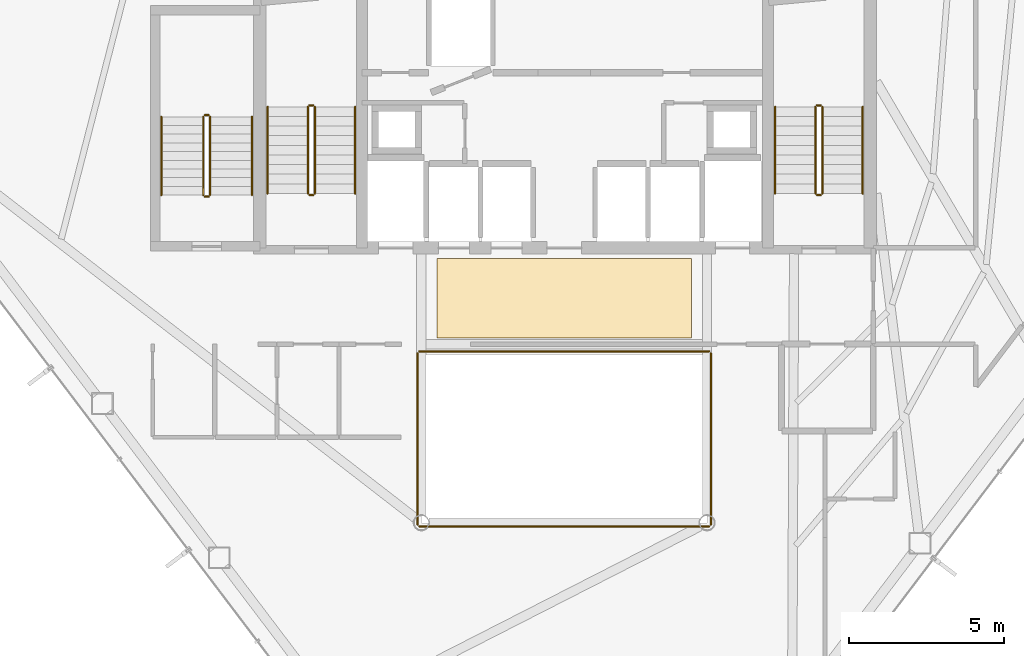
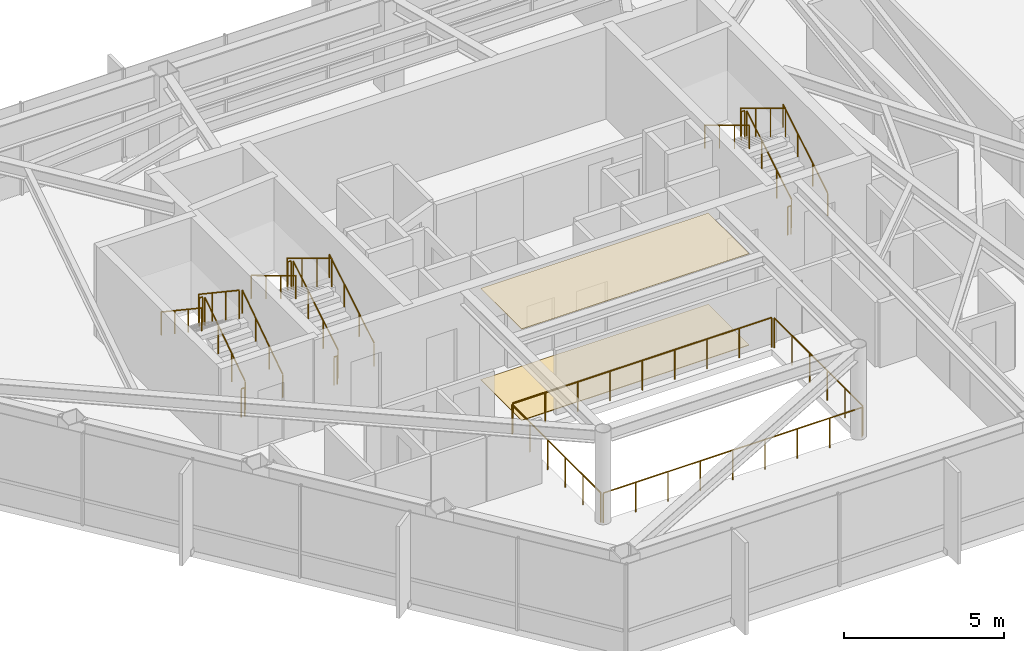
# One storey, part 28 of 28: 22 railings, 2 coverings.
"""IFC4 building model written with IfcOpenShell, lengths in metres."""

from ifc_helpers import new_model, si_unit, direction, frame, origin, origin_2d, place, context, subcontext, project, spatial, polyline, circle, outline, extrude, material, layer, layer_set, type_object, element, save


model = new_model("IFC4")

# Units and contexts
model_context = context("Model", 3, precision=1e-05, world=origin(), true_north=direction((0.0, 1.0)))
body_context = subcontext(model_context, "Body", "Model", "MODEL_VIEW")
ifc_project = project(units=[si_unit("LENGTHUNIT", "METRE"), si_unit("AREAUNIT", "SQUARE_METRE"), si_unit("VOLUMEUNIT", "CUBIC_METRE"), si_unit("PLANEANGLEUNIT", "RADIAN"), si_unit("MASSUNIT", "GRAM", prefix="KILO")], contexts=[model_context])

# Site, building, storey
site_placement = place(None, origin())
site = spatial("IfcSite", under=ifc_project, at=site_placement, CompositionType="ELEMENT")
building_placement = place(site_placement, origin())
building = spatial("IfcBuilding", under=site, at=building_placement, Name="Zarrinselat Tower", CompositionType="ELEMENT")
storey_placement = place(building_placement, frame((0.0, 0.0, 164.56005859375)))
storey = spatial("IfcBuildingStorey", under=building, at=storey_placement, Name="L40", CompositionType="ELEMENT", Elevation=164.56005859375)

# Coverings
ifc_material_1 = material(Name="Fire-Rated Gypsum Board Partition")
ifc_layer_1 = layer(ifc_material_1, 0.014892578125)
ifc_layer_set_1 = layer_set([ifc_layer_1], Name="Fire-Rated Gypsum Board Partition")
covering_type_1 = type_object("IfcCoveringType", Name="COV-CLG-AC15", PredefinedType="CEILING", material=ifc_layer_set_1)
covering_1_placement = place(storey_placement, frame((0.0, 0.0, 3.48486328125)))
element("IfcCovering", 1, at=covering_1_placement, inside=storey, type_object=covering_type_1, Name="L40 Lift Lobby Acoustic Ceiling", PredefinedType="CEILING", context=body_context, shape_type="SweptSolid", body=[
    extrude(outline(polyline([(34.300048828125, 30.35009765625), (42.5, 30.35009765625), (42.5, 32.89990234375), (34.300048828125, 32.89990234375), (34.300048828125, 30.35009765625)])), origin(), (0.0, 0.0, 1.0), 0.01513671875),
])
ifc_material_2 = material(Name="Honed Cream Travertine Stone", Category="masonry")
ifc_layer_2 = layer(ifc_material_2, 0.02490234375)
ifc_layer_set_2 = layer_set([ifc_layer_2], Name="Honed Cream Travertine Stone")
covering_type_2 = type_object("IfcCoveringType", Name="COV-FLR-ST25", PredefinedType="FLOORING", material=ifc_layer_set_2)
covering_2_placement = place(storey_placement, origin())
element("IfcCovering", 2, at=covering_2_placement, inside=storey, type_object=covering_type_2, Name="L40 Lift Lobby Stone Flooring", PredefinedType="FLOORING", context=body_context, shape_type="SweptSolid", body=[
    extrude(outline(polyline([(34.300048828125, 30.35009765625), (42.5, 30.35009765625), (42.5, 32.89990234375), (34.300048828125, 32.89990234375), (34.300048828125, 30.35009765625)])), origin(), (0.0, 0.0, 1.0), 0.02490234375),
])

# Railings
ifc_material_3 = material(Name="Double Low-E Laminated Solar Glass", Category="glass")
railing_type_1 = type_object("IfcRailingType", Name="RLG-ATRIUM-BAL", PredefinedType="BALUSTRADE", material=ifc_material_3)
railing_1_placement = place(storey_placement, frame((33.739990234375, 24.280029296875, 0.0)))
element("IfcRailing", 3, at=railing_1_placement, inside=storey, type_object=railing_type_1, Name="L40 Atrium Void Glass Balustrade S", PredefinedType="BALUSTRADE", context=body_context, shape_type="SweptSolid", body=[
    extrude(circle(Radius=0.02392578125, at=origin_2d()), frame((0.0, 0.0, 1.1259765625), z_axis=(1.0, 0.0, 0.0), x_axis=(0.0, 1.0, 0.0)), (0.0, 0.0, 1.0), 9.320068359375),
    extrude(circle(Radius=0.02099609375, at=origin_2d()), origin(), (0.0, 0.0, 1.0), 1.099853515625),
    extrude(circle(Radius=0.02099609375, at=origin_2d()), frame((1.1650390625, 0.0, 0.0)), (0.0, 0.0, 1.0), 1.099853515625),
    extrude(circle(Radius=0.02099609375, at=origin_2d()), frame((2.330078125, 0.0, 0.0)), (0.0, 0.0, 1.0), 1.099853515625),
    extrude(circle(Radius=0.02099609375, at=origin_2d()), frame((3.4951171875, 0.0, 0.0)), (0.0, 0.0, 1.0), 1.099853515625),
    extrude(circle(Radius=0.02099609375, at=origin_2d()), frame((4.66015625, 0.0, 0.0)), (0.0, 0.0, 1.0), 1.099853515625),
    extrude(circle(Radius=0.02099609375, at=origin_2d()), frame((5.824951171875, 0.0, 0.0)), (0.0, 0.0, 1.0), 1.099853515625),
    extrude(circle(Radius=0.02099609375, at=origin_2d()), frame((6.989990234375, 0.0, 0.0)), (0.0, 0.0, 1.0), 1.099853515625),
    extrude(circle(Radius=0.02099609375, at=origin_2d()), frame((8.155029296875, 0.0, 0.0)), (0.0, 0.0, 1.0), 1.099853515625),
    extrude(circle(Radius=0.02099609375, at=origin_2d()), frame((9.320068359375, 0.0, 0.0)), (0.0, 0.0, 1.0), 1.099853515625),
])
railing_2_placement = place(storey_placement, frame((43.1201171875, 24.340087890625, 0.0)))
element("IfcRailing", 4, at=railing_2_placement, inside=storey, type_object=railing_type_1, Name="L40 Atrium Void Glass Balustrade E", PredefinedType="BALUSTRADE", context=body_context, shape_type="SweptSolid", body=[
    extrude(circle(Radius=0.02392578125, at=origin_2d()), frame((0.0, 0.0, 1.1259765625), z_axis=(0.0, 1.0, 0.0), x_axis=(-1.0, 0.0, 0.0)), (0.0, 0.0, 1.0), 5.52001953125),
    extrude(circle(Radius=0.02099609375, at=origin_2d()), origin(), (0.0, 0.0, 1.0), 1.099853515625),
    extrude(circle(Radius=0.02099609375, at=origin_2d()), frame((0.0, 1.10400390625, 0.0)), (0.0, 0.0, 1.0), 1.099853515625),
    extrude(circle(Radius=0.02099609375, at=origin_2d()), frame((0.0, 2.2080078125, 0.0)), (0.0, 0.0, 1.0), 1.099853515625),
    extrude(circle(Radius=0.02099609375, at=origin_2d()), frame((0.0, 3.31201171875, 0.0)), (0.0, 0.0, 1.0), 1.099853515625),
    extrude(circle(Radius=0.02099609375, at=origin_2d()), frame((0.0, 4.416015625, 0.0)), (0.0, 0.0, 1.0), 1.099853515625),
    extrude(circle(Radius=0.02099609375, at=origin_2d()), frame((0.0, 5.52001953125, 0.0)), (0.0, 0.0, 1.0), 1.099853515625),
])
railing_3_placement = place(storey_placement, frame((43.06005859375, 29.919921875, 0.0)))
element("IfcRailing", 5, at=railing_3_placement, inside=storey, type_object=railing_type_1, Name="L40 Atrium Void Glass Balustrade N", PredefinedType="BALUSTRADE", context=body_context, shape_type="SweptSolid", body=[
    extrude(circle(Radius=0.02392578125, at=origin_2d()), frame((0.0, 0.0, 1.1259765625), z_axis=(-1.0, 0.0, 0.0), x_axis=(0.0, -1.0, 0.0)), (0.0, 0.0, 1.0), 9.320068359375),
    extrude(circle(Radius=0.02099609375, at=origin_2d()), origin(), (0.0, 0.0, 1.0), 1.099853515625),
    extrude(circle(Radius=0.02099609375, at=origin_2d()), frame((-1.1650390625, 0.0, 0.0)), (0.0, 0.0, 1.0), 1.099853515625),
    extrude(circle(Radius=0.02099609375, at=origin_2d()), frame((-2.330078125, 0.0, 0.0)), (0.0, 0.0, 1.0), 1.099853515625),
    extrude(circle(Radius=0.02099609375, at=origin_2d()), frame((-3.4951171875, 0.0, 0.0)), (0.0, 0.0, 1.0), 1.099853515625),
    extrude(circle(Radius=0.02099609375, at=origin_2d()), frame((-4.66015625, 0.0, 0.0)), (0.0, 0.0, 1.0), 1.099853515625),
    extrude(circle(Radius=0.02099609375, at=origin_2d()), frame((-5.824951171875, 0.0, 0.0)), (0.0, 0.0, 1.0), 1.099853515625),
    extrude(circle(Radius=0.02099609375, at=origin_2d()), frame((-6.989990234375, 0.0, 0.0)), (0.0, 0.0, 1.0), 1.099853515625),
    extrude(circle(Radius=0.02099609375, at=origin_2d()), frame((-8.155029296875, 0.0, 0.0)), (0.0, 0.0, 1.0), 1.099853515625),
    extrude(circle(Radius=0.02099609375, at=origin_2d()), frame((-9.320068359375, 0.0, 0.0)), (0.0, 0.0, 1.0), 1.099853515625),
])
railing_4_placement = place(storey_placement, frame((33.679931640625, 29.860107421875, 0.0)))
element("IfcRailing", 6, at=railing_4_placement, inside=storey, type_object=railing_type_1, Name="L40 Atrium Void Glass Balustrade W", PredefinedType="BALUSTRADE", context=body_context, shape_type="SweptSolid", body=[
    extrude(circle(Radius=0.02392578125, at=origin_2d()), frame((0.0, 0.0, 1.1259765625), z_axis=(0.0, -1.0, 0.0), x_axis=(1.0, 0.0, 0.0)), (0.0, 0.0, 1.0), 5.52001953125),
    extrude(circle(Radius=0.02099609375, at=origin_2d()), origin(), (0.0, 0.0, 1.0), 1.099853515625),
    extrude(circle(Radius=0.02099609375, at=origin_2d()), frame((0.0, -1.10400390625, 0.0)), (0.0, 0.0, 1.0), 1.099853515625),
    extrude(circle(Radius=0.02099609375, at=origin_2d()), frame((0.0, -2.2080078125, 0.0)), (0.0, 0.0, 1.0), 1.099853515625),
    extrude(circle(Radius=0.02099609375, at=origin_2d()), frame((0.0, -3.31201171875, 0.0)), (0.0, 0.0, 1.0), 1.099853515625),
    extrude(circle(Radius=0.02099609375, at=origin_2d()), frame((0.0, -4.416015625, 0.0)), (0.0, 0.0, 1.0), 1.099853515625),
    extrude(circle(Radius=0.02099609375, at=origin_2d()), frame((0.0, -5.52001953125, 0.0)), (0.0, 0.0, 1.0), 1.099853515625),
])
ifc_material_4 = material(Name="Steel S355J2", Category="steel")
railing_type_2 = type_object("IfcRailingType", Name="RLG-STAIR-GUARD", PredefinedType="GUARDRAIL", material=ifc_material_4)
railing_5_placement = place(storey_placement, frame((30.3701171875, 35.0, 0.18701171875)))
element("IfcRailing", 7, at=railing_5_placement, inside=storey, type_object=railing_type_2, Name="L40 ST-1 stair guard 1", PredefinedType="GUARDRAIL", context=body_context, shape_type="SweptSolid", body=[
    extrude(circle(Radius=0.02392578125, at=origin_2d()), frame((0.0, 0.0, 1.076171875), z_axis=(0.0, 0.856293938615, 0.516488809842), x_axis=(-1.0, 0.0, 0.0)), (0.0, 0.0, 1.0), 3.25830078125),
    extrude(circle(Radius=0.02099609375, at=origin_2d()), origin(), (0.0, 0.0, 1.0), 1.050048828125),
    extrude(circle(Radius=0.02099609375, at=origin_2d()), frame((0.0, 0.929931640625, 0.56103515625)), (0.0, 0.0, 1.0), 1.050048828125),
    extrude(circle(Radius=0.02099609375, at=origin_2d()), frame((0.0, 1.860107421875, 1.121826171875)), (0.0, 0.0, 1.0), 1.050048828125),
    extrude(circle(Radius=0.02099609375, at=origin_2d()), frame((0.0, 2.7900390625, 1.682861328125)), (0.0, 0.0, 1.0), 1.050048828125),
])
railing_6_placement = place(storey_placement, frame((30.320068359375, 37.840087890625, 1.869873046875)))
element("IfcRailing", 8, at=railing_6_placement, inside=storey, type_object=railing_type_2, Name="L40 ST-1 stair guard 2", PredefinedType="GUARDRAIL", context=body_context, shape_type="SweptSolid", body=[
    extrude(circle(Radius=0.02392578125, at=origin_2d()), frame((0.0, 0.0, 1.076171875), z_axis=(-1.0, 0.0, 0.0), x_axis=(0.0, -1.0, 0.0)), (0.0, 0.0, 1.0), 0.1201171875),
    extrude(circle(Radius=0.02099609375, at=origin_2d()), origin(), (0.0, 0.0, 1.0), 1.050048828125),
    extrude(circle(Radius=0.02099609375, at=origin_2d()), frame((-0.1201171875, 0.0, 0.0)), (0.0, 0.0, 1.0), 1.050048828125),
])
railing_7_placement = place(storey_placement, frame((30.14990234375, 37.7900390625, 2.056884765625)))
element("IfcRailing", 9, at=railing_7_placement, inside=storey, type_object=railing_type_2, Name="L40 ST-1 stair guard 3", PredefinedType="GUARDRAIL", context=body_context, shape_type="SweptSolid", body=[
    extrude(circle(Radius=0.02392578125, at=origin_2d()), frame((0.0, 0.0, 1.076171875), z_axis=(0.0, -0.856260799362, 0.516543747882), x_axis=(1.0, 0.0, 0.0)), (0.0, 0.0, 1.0), 3.25830078125),
    extrude(circle(Radius=0.02099609375, at=origin_2d()), origin(), (0.0, 0.0, 1.0), 1.050048828125),
    extrude(circle(Radius=0.02099609375, at=origin_2d()), frame((0.0, -0.929931640625, 0.56103515625)), (0.0, 0.0, 1.0), 1.050048828125),
    extrude(circle(Radius=0.02099609375, at=origin_2d()), frame((0.0, -1.860107421875, 1.1220703125)), (0.0, 0.0, 1.0), 1.050048828125),
    extrude(circle(Radius=0.02099609375, at=origin_2d()), frame((0.0, -2.7900390625, 1.68310546875)), (0.0, 0.0, 1.0), 1.050048828125),
])
railing_8_placement = place(storey_placement, frame((30.320068359375, 34.949951171875, 0.0)))
element("IfcRailing", 10, at=railing_8_placement, inside=storey, type_object=railing_type_2, Name="L40 ST-1 stair guard 4", PredefinedType="GUARDRAIL", context=body_context, shape_type="SweptSolid", body=[
    extrude(circle(Radius=0.02392578125, at=origin_2d()), frame((0.0, 0.0, 1.076171875), z_axis=(-1.0, 0.0, 0.0), x_axis=(0.0, -1.0, 0.0)), (0.0, 0.0, 1.0), 0.1201171875),
    extrude(circle(Radius=0.02099609375, at=origin_2d()), origin(), (0.0, 0.0, 1.0), 1.050048828125),
    extrude(circle(Radius=0.02099609375, at=origin_2d()), frame((-0.1201171875, 0.0, 0.0)), (0.0, 0.0, 1.0), 1.050048828125),
])
railing_9_placement = place(storey_placement, frame((46.7099609375, 35.0, 0.18701171875)))
element("IfcRailing", 11, at=railing_9_placement, inside=storey, type_object=railing_type_2, Name="L40 ST-2 stair guard 1", PredefinedType="GUARDRAIL", context=body_context, shape_type="SweptSolid", body=[
    extrude(circle(Radius=0.02392578125, at=origin_2d()), frame((0.0, 0.0, 1.076171875), z_axis=(0.0, 0.856293938615, 0.516488809842), x_axis=(-1.0, 0.0, 0.0)), (0.0, 0.0, 1.0), 3.25830078125),
    extrude(circle(Radius=0.02099609375, at=origin_2d()), origin(), (0.0, 0.0, 1.0), 1.050048828125),
    extrude(circle(Radius=0.02099609375, at=origin_2d()), frame((0.0, 0.929931640625, 0.56103515625)), (0.0, 0.0, 1.0), 1.050048828125),
    extrude(circle(Radius=0.02099609375, at=origin_2d()), frame((0.0, 1.860107421875, 1.121826171875)), (0.0, 0.0, 1.0), 1.050048828125),
    extrude(circle(Radius=0.02099609375, at=origin_2d()), frame((0.0, 2.7900390625, 1.682861328125)), (0.0, 0.0, 1.0), 1.050048828125),
])
railing_10_placement = place(storey_placement, frame((46.659912109375, 37.840087890625, 1.869873046875)))
element("IfcRailing", 12, at=railing_10_placement, inside=storey, type_object=railing_type_2, Name="L40 ST-2 stair guard 2", PredefinedType="GUARDRAIL", context=body_context, shape_type="SweptSolid", body=[
    extrude(circle(Radius=0.02392578125, at=origin_2d()), frame((0.0, 0.0, 1.076171875), z_axis=(-1.0, 0.0, 0.0), x_axis=(0.0, -1.0, 0.0)), (0.0, 0.0, 1.0), 0.119873046875),
    extrude(circle(Radius=0.02099609375, at=origin_2d()), origin(), (0.0, 0.0, 1.0), 1.050048828125),
    extrude(circle(Radius=0.02099609375, at=origin_2d()), frame((-0.119873046875, 0.0, 0.0)), (0.0, 0.0, 1.0), 1.050048828125),
])
railing_11_placement = place(storey_placement, frame((46.489990234375, 37.7900390625, 2.056884765625)))
element("IfcRailing", 13, at=railing_11_placement, inside=storey, type_object=railing_type_2, Name="L40 ST-2 stair guard 3", PredefinedType="GUARDRAIL", context=body_context, shape_type="SweptSolid", body=[
    extrude(circle(Radius=0.02392578125, at=origin_2d()), frame((0.0, 0.0, 1.076171875), z_axis=(0.0, -0.856260799362, 0.516543747882), x_axis=(1.0, 0.0, 0.0)), (0.0, 0.0, 1.0), 3.25830078125),
    extrude(circle(Radius=0.02099609375, at=origin_2d()), origin(), (0.0, 0.0, 1.0), 1.050048828125),
    extrude(circle(Radius=0.02099609375, at=origin_2d()), frame((0.0, -0.929931640625, 0.56103515625)), (0.0, 0.0, 1.0), 1.050048828125),
    extrude(circle(Radius=0.02099609375, at=origin_2d()), frame((0.0, -1.860107421875, 1.1220703125)), (0.0, 0.0, 1.0), 1.050048828125),
    extrude(circle(Radius=0.02099609375, at=origin_2d()), frame((0.0, -2.7900390625, 1.68310546875)), (0.0, 0.0, 1.0), 1.050048828125),
])
railing_12_placement = place(storey_placement, frame((46.659912109375, 34.949951171875, 0.0)))
element("IfcRailing", 14, at=railing_12_placement, inside=storey, type_object=railing_type_2, Name="L40 ST-2 stair guard 4", PredefinedType="GUARDRAIL", context=body_context, shape_type="SweptSolid", body=[
    extrude(circle(Radius=0.02392578125, at=origin_2d()), frame((0.0, 0.0, 1.076171875), z_axis=(-1.0, 0.0, 0.0), x_axis=(0.0, -1.0, 0.0)), (0.0, 0.0, 1.0), 0.119873046875),
    extrude(circle(Radius=0.02099609375, at=origin_2d()), origin(), (0.0, 0.0, 1.0), 1.050048828125),
    extrude(circle(Radius=0.02099609375, at=origin_2d()), frame((-0.119873046875, 0.0, 0.0)), (0.0, 0.0, 1.0), 1.050048828125),
])
railing_13_placement = place(storey_placement, frame((27.0, 34.949951171875, 0.18701171875)))
element("IfcRailing", 15, at=railing_13_placement, inside=storey, type_object=railing_type_2, Name="L40 ST-3 stair guard 1", PredefinedType="GUARDRAIL", context=body_context, shape_type="SweptSolid", body=[
    extrude(circle(Radius=0.02392578125, at=origin_2d()), frame((0.0, 0.0, 1.076171875), z_axis=(0.0, 0.831616215664, 0.555350762892), x_axis=(-1.0, 0.0, 0.0)), (0.0, 0.0, 1.0), 3.0302734375),
    extrude(circle(Radius=0.02099609375, at=origin_2d()), origin(), (0.0, 0.0, 1.0), 1.050048828125),
    extrude(circle(Radius=0.02099609375, at=origin_2d()), frame((0.0, 0.840087890625, 0.56103515625)), (0.0, 0.0, 1.0), 1.050048828125),
    extrude(circle(Radius=0.02099609375, at=origin_2d()), frame((0.0, 1.679931640625, 1.121826171875)), (0.0, 0.0, 1.0), 1.050048828125),
    extrude(circle(Radius=0.02099609375, at=origin_2d()), frame((0.0, 2.52001953125, 1.682861328125)), (0.0, 0.0, 1.0), 1.050048828125),
])
railing_14_placement = place(storey_placement, frame((26.949951171875, 37.52001953125, 1.869873046875)))
element("IfcRailing", 16, at=railing_14_placement, inside=storey, type_object=railing_type_2, Name="L40 ST-3 stair guard 2", PredefinedType="GUARDRAIL", context=body_context, shape_type="SweptSolid", body=[
    extrude(circle(Radius=0.02392578125, at=origin_2d()), frame((0.0, 0.0, 1.076171875), z_axis=(-1.0, 0.0, 0.0), x_axis=(0.0, -1.0, 0.0)), (0.0, 0.0, 1.0), 0.119873046875),
    extrude(circle(Radius=0.02099609375, at=origin_2d()), origin(), (0.0, 0.0, 1.0), 1.050048828125),
    extrude(circle(Radius=0.02099609375, at=origin_2d()), frame((-0.119873046875, 0.0, 0.0)), (0.0, 0.0, 1.0), 1.050048828125),
])
railing_15_placement = place(storey_placement, frame((26.780029296875, 37.469970703125, 2.056884765625)))
element("IfcRailing", 17, at=railing_15_placement, inside=storey, type_object=railing_type_2, Name="L40 ST-3 stair guard 3", PredefinedType="GUARDRAIL", context=body_context, shape_type="SweptSolid", body=[
    extrude(circle(Radius=0.02392578125, at=origin_2d()), frame((0.0, 0.0, 1.076171875), z_axis=(0.0, -0.831579006341, 0.555406478368), x_axis=(1.0, 0.0, 0.0)), (0.0, 0.0, 1.0), 3.030517578125),
    extrude(circle(Radius=0.02099609375, at=origin_2d()), origin(), (0.0, 0.0, 1.0), 1.050048828125),
    extrude(circle(Radius=0.02099609375, at=origin_2d()), frame((0.0, -0.840087890625, 0.56103515625)), (0.0, 0.0, 1.0), 1.050048828125),
    extrude(circle(Radius=0.02099609375, at=origin_2d()), frame((0.0, -1.679931640625, 1.1220703125)), (0.0, 0.0, 1.0), 1.050048828125),
    extrude(circle(Radius=0.02099609375, at=origin_2d()), frame((0.0, -2.52001953125, 1.68310546875)), (0.0, 0.0, 1.0), 1.050048828125),
])
railing_16_placement = place(storey_placement, frame((26.949951171875, 34.89990234375, 0.0)))
element("IfcRailing", 18, at=railing_16_placement, inside=storey, type_object=railing_type_2, Name="L40 ST-3 stair guard 4", PredefinedType="GUARDRAIL", context=body_context, shape_type="SweptSolid", body=[
    extrude(circle(Radius=0.02392578125, at=origin_2d()), frame((0.0, 0.0, 1.076171875), z_axis=(-1.0, 0.0, 0.0), x_axis=(0.0, -1.0, 0.0)), (0.0, 0.0, 1.0), 0.119873046875),
    extrude(circle(Radius=0.02099609375, at=origin_2d()), origin(), (0.0, 0.0, 1.0), 1.050048828125),
    extrude(circle(Radius=0.02099609375, at=origin_2d()), frame((-0.119873046875, 0.0, 0.0)), (0.0, 0.0, 1.0), 1.050048828125),
])
ifc_material_5 = material(Name="Steel S355J2", Category="steel")
railing_type_3 = type_object("IfcRailingType", Name="RLG-STAIR-HAND", PredefinedType="HANDRAIL", material=ifc_material_5)
railing_17_placement = place(storey_placement, frame((31.669921875, 35.0, 0.18701171875)))
element("IfcRailing", 19, at=railing_17_placement, inside=storey, type_object=railing_type_3, Name="L40 ST-1 stair handrail 1", PredefinedType="HANDRAIL", context=body_context, shape_type="SweptSolid", body=[
    extrude(circle(Radius=0.02392578125, at=origin_2d()), frame((0.0, 0.0, 0.8759765625), z_axis=(0.0, 0.856293938615, 0.516488809842), x_axis=(-1.0, 0.0, 0.0)), (0.0, 0.0, 1.0), 3.25830078125),
    extrude(circle(Radius=0.02099609375, at=origin_2d()), origin(), (0.0, 0.0, 1.0), 0.849853515625),
    extrude(circle(Radius=0.02099609375, at=origin_2d()), frame((0.0, 0.929931640625, 0.56103515625)), (0.0, 0.0, 1.0), 0.849853515625),
    extrude(circle(Radius=0.02099609375, at=origin_2d()), frame((0.0, 1.860107421875, 1.121826171875)), (0.0, 0.0, 1.0), 0.849853515625),
    extrude(circle(Radius=0.02099609375, at=origin_2d()), frame((0.0, 2.7900390625, 1.682861328125)), (0.0, 0.0, 1.0), 0.849853515625),
])
railing_18_placement = place(storey_placement, frame((28.85009765625, 37.7900390625, 2.056884765625)))
element("IfcRailing", 20, at=railing_18_placement, inside=storey, type_object=railing_type_3, Name="L40 ST-1 stair handrail 2", PredefinedType="HANDRAIL", context=body_context, shape_type="SweptSolid", body=[
    extrude(circle(Radius=0.02392578125, at=origin_2d()), frame((0.0, 0.0, 0.8759765625), z_axis=(0.0, -0.856260799362, 0.516543747882), x_axis=(1.0, 0.0, 0.0)), (0.0, 0.0, 1.0), 3.25830078125),
    extrude(circle(Radius=0.02099609375, at=origin_2d()), origin(), (0.0, 0.0, 1.0), 0.849853515625),
    extrude(circle(Radius=0.02099609375, at=origin_2d()), frame((0.0, -0.929931640625, 0.56103515625)), (0.0, 0.0, 1.0), 0.849853515625),
    extrude(circle(Radius=0.02099609375, at=origin_2d()), frame((0.0, -1.860107421875, 1.1220703125)), (0.0, 0.0, 1.0), 0.849853515625),
    extrude(circle(Radius=0.02099609375, at=origin_2d()), frame((0.0, -2.7900390625, 1.68310546875)), (0.0, 0.0, 1.0), 0.849853515625),
])
railing_19_placement = place(storey_placement, frame((48.010009765625, 35.0, 0.18701171875)))
element("IfcRailing", 21, at=railing_19_placement, inside=storey, type_object=railing_type_3, Name="L40 ST-2 stair handrail 1", PredefinedType="HANDRAIL", context=body_context, shape_type="SweptSolid", body=[
    extrude(circle(Radius=0.02392578125, at=origin_2d()), frame((0.0, 0.0, 0.8759765625), z_axis=(0.0, 0.856293938615, 0.516488809842), x_axis=(-1.0, 0.0, 0.0)), (0.0, 0.0, 1.0), 3.25830078125),
    extrude(circle(Radius=0.02099609375, at=origin_2d()), origin(), (0.0, 0.0, 1.0), 0.849853515625),
    extrude(circle(Radius=0.02099609375, at=origin_2d()), frame((0.0, 0.929931640625, 0.56103515625)), (0.0, 0.0, 1.0), 0.849853515625),
    extrude(circle(Radius=0.02099609375, at=origin_2d()), frame((0.0, 1.860107421875, 1.121826171875)), (0.0, 0.0, 1.0), 0.849853515625),
    extrude(circle(Radius=0.02099609375, at=origin_2d()), frame((0.0, 2.7900390625, 1.682861328125)), (0.0, 0.0, 1.0), 0.849853515625),
])
railing_20_placement = place(storey_placement, frame((45.18994140625, 37.7900390625, 2.056884765625)))
element("IfcRailing", 22, at=railing_20_placement, inside=storey, type_object=railing_type_3, Name="L40 ST-2 stair handrail 2", PredefinedType="HANDRAIL", context=body_context, shape_type="SweptSolid", body=[
    extrude(circle(Radius=0.02392578125, at=origin_2d()), frame((0.0, 0.0, 0.8759765625), z_axis=(0.0, -0.856260799362, 0.516543747882), x_axis=(1.0, 0.0, 0.0)), (0.0, 0.0, 1.0), 3.25830078125),
    extrude(circle(Radius=0.02099609375, at=origin_2d()), origin(), (0.0, 0.0, 1.0), 0.849853515625),
    extrude(circle(Radius=0.02099609375, at=origin_2d()), frame((0.0, -0.929931640625, 0.56103515625)), (0.0, 0.0, 1.0), 0.849853515625),
    extrude(circle(Radius=0.02099609375, at=origin_2d()), frame((0.0, -1.860107421875, 1.1220703125)), (0.0, 0.0, 1.0), 0.849853515625),
    extrude(circle(Radius=0.02099609375, at=origin_2d()), frame((0.0, -2.7900390625, 1.68310546875)), (0.0, 0.0, 1.0), 0.849853515625),
])
railing_21_placement = place(storey_placement, frame((28.35009765625, 34.949951171875, 0.18701171875)))
element("IfcRailing", 23, at=railing_21_placement, inside=storey, type_object=railing_type_3, Name="L40 ST-3 stair handrail 1", PredefinedType="HANDRAIL", context=body_context, shape_type="SweptSolid", body=[
    extrude(circle(Radius=0.02392578125, at=origin_2d()), frame((0.0, 0.0, 0.8759765625), z_axis=(0.0, 0.831616215664, 0.555350762892), x_axis=(-1.0, 0.0, 0.0)), (0.0, 0.0, 1.0), 3.0302734375),
    extrude(circle(Radius=0.02099609375, at=origin_2d()), origin(), (0.0, 0.0, 1.0), 0.849853515625),
    extrude(circle(Radius=0.02099609375, at=origin_2d()), frame((0.0, 0.840087890625, 0.56103515625)), (0.0, 0.0, 1.0), 0.849853515625),
    extrude(circle(Radius=0.02099609375, at=origin_2d()), frame((0.0, 1.679931640625, 1.121826171875)), (0.0, 0.0, 1.0), 0.849853515625),
    extrude(circle(Radius=0.02099609375, at=origin_2d()), frame((0.0, 2.52001953125, 1.682861328125)), (0.0, 0.0, 1.0), 0.849853515625),
])
railing_22_placement = place(storey_placement, frame((25.429931640625, 37.469970703125, 2.056884765625)))
element("IfcRailing", 24, at=railing_22_placement, inside=storey, type_object=railing_type_3, Name="L40 ST-3 stair handrail 2", PredefinedType="HANDRAIL", context=body_context, shape_type="SweptSolid", body=[
    extrude(circle(Radius=0.02392578125, at=origin_2d()), frame((0.0, 0.0, 0.8759765625), z_axis=(0.0, -0.831579006341, 0.555406478368), x_axis=(1.0, 0.0, 0.0)), (0.0, 0.0, 1.0), 3.030517578125),
    extrude(circle(Radius=0.02099609375, at=origin_2d()), origin(), (0.0, 0.0, 1.0), 0.849853515625),
    extrude(circle(Radius=0.02099609375, at=origin_2d()), frame((0.0, -0.840087890625, 0.56103515625)), (0.0, 0.0, 1.0), 0.849853515625),
    extrude(circle(Radius=0.02099609375, at=origin_2d()), frame((0.0, -1.679931640625, 1.1220703125)), (0.0, 0.0, 1.0), 0.849853515625),
    extrude(circle(Radius=0.02099609375, at=origin_2d()), frame((0.0, -2.52001953125, 1.68310546875)), (0.0, 0.0, 1.0), 0.849853515625),
])

save(model, "model.ifc")
